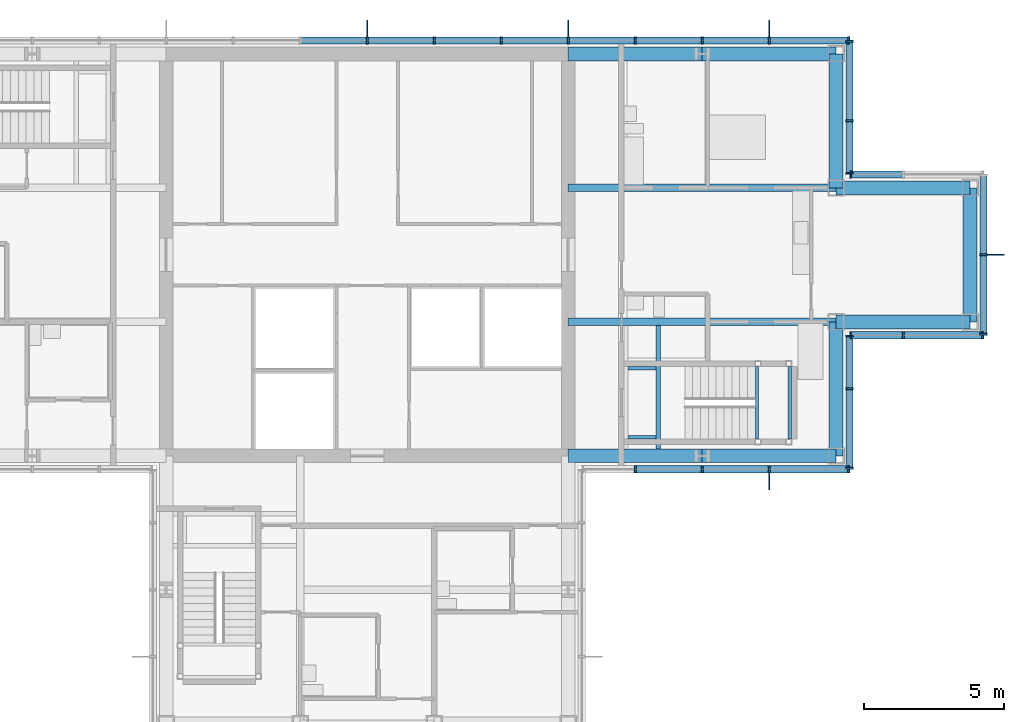
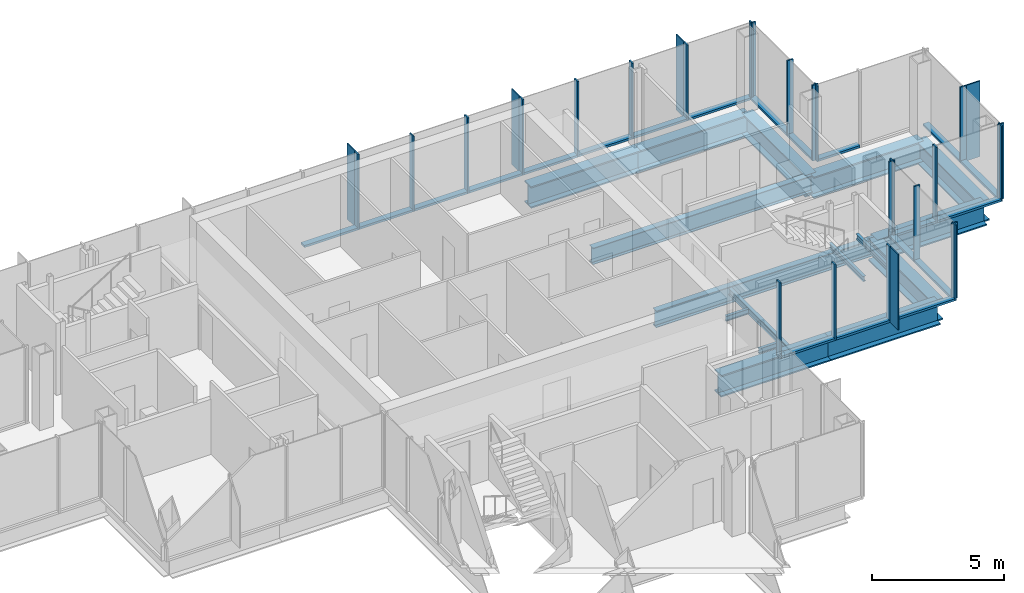
# One storey, part 7 of 15: 49 members, 16 beams, 7 elements without a shape of their own.
"""IFC4 building model written with IfcOpenShell, lengths in metres."""

from ifc_helpers import new_model, si_unit, direction, frame, origin, origin_2d, place, context, subcontext, project, spatial, rectangle, i_section, extrude, material, material_profile, profile_set, type_object, element, aggregate, save


model = new_model("IFC4")

# Units and contexts
model_context = context("Model", 3, precision=1e-05, world=origin(), true_north=direction((0.0, 1.0)))
body_context = subcontext(model_context, "Body", "Model", "MODEL_VIEW")
ifc_project = project(units=[si_unit("LENGTHUNIT", "METRE"), si_unit("AREAUNIT", "SQUARE_METRE"), si_unit("VOLUMEUNIT", "CUBIC_METRE"), si_unit("PLANEANGLEUNIT", "RADIAN"), si_unit("MASSUNIT", "GRAM", prefix="KILO")], contexts=[model_context])

# Site, building, storey
site_placement = place(None, origin())
site = spatial("IfcSite", under=ifc_project, at=site_placement, CompositionType="ELEMENT")
building_placement = place(site_placement, origin())
building = spatial("IfcBuilding", under=site, at=building_placement, Name="Kvirike Care Tower", CompositionType="ELEMENT")
storey_placement = place(building_placement, frame((0.0, 0.0, 229.5)))
storey = spatial("IfcBuildingStorey", under=building, at=storey_placement, Name="L63", CompositionType="ELEMENT", Elevation=229.5)

# Curtain wall, member
ifc_material_1 = material(Name="Anodised aluminium stick system", Category="aluminium")
curtain_wall_type = type_object("IfcCurtainWallType", Name="CW-D STICK CURTAIN WALL", PredefinedType="NOTDEFINED", material=ifc_material_1)
curtain_wall_1_placement = place(storey_placement, origin())
curtain_wall_1 = element("IfcCurtainWall", 1, at=curtain_wall_1_placement, inside=storey, type_object=curtain_wall_type, Name="Curtain wall L63 face 1", PredefinedType="NOTDEFINED")
ifc_material_2 = material(Name="Bronze anodised aluminium fin", Category="aluminium")
ifc_material_profile_1 = material_profile(ifc_material_2, rectangle(XDim=0.050048828125, YDim=0.60009765625, at=origin_2d()), Name="BRONZE FIN 600")
ifc_profile_set_1 = profile_set([ifc_material_profile_1], Name="Bronze anodised aluminium fin")
member_type_1 = type_object("IfcMemberType", Name="BRONZE FIN 600", PredefinedType="USERDEFINED", material=ifc_profile_set_1)
member_1_placement = place(storey_placement, frame((36.0, 27.889892578125, 0.0), z_axis=(0.0, 0.0, 1.0), x_axis=(1.0, 0.0, 0.0)))
member_1 = element("IfcMember", 2, at=member_1_placement, type_object=member_type_1, Name="Bronze fin L63 face 1.4", ObjectType="FIN", PredefinedType="USERDEFINED", context=body_context, shape_type="SweptSolid", body=[
    extrude(rectangle(XDim=0.050048828125, YDim=0.60009765625, at=origin_2d()), origin(), (0.0, 0.0, 1.0), 3.5),
])

curtain_wall_2_placement = place(storey_placement, origin())
curtain_wall_2 = element("IfcCurtainWall", 3, at=curtain_wall_2_placement, inside=storey, type_object=curtain_wall_type, Name="Curtain wall L63 face 4", PredefinedType="NOTDEFINED")
member_2_placement = place(storey_placement, frame((44.110107421875, 36.0, 0.0), z_axis=(0.0, 0.0, 1.0), x_axis=(0.0, 1.0, 0.0)))
member_2 = element("IfcMember", 4, at=member_2_placement, type_object=member_type_1, Name="Bronze fin L63 face 4.2", ObjectType="FIN", PredefinedType="USERDEFINED", context=body_context, shape_type="SweptSolid", body=[
    extrude(rectangle(XDim=0.050048828125, YDim=0.60009765625, at=origin_2d()), origin(), (0.0, 0.0, 1.0), 3.5),
])

# Curtain wall, members
curtain_wall_3_placement = place(storey_placement, origin())
curtain_wall_3 = element("IfcCurtainWall", 5, at=curtain_wall_3_placement, inside=storey, type_object=curtain_wall_type, Name="Curtain wall L63 face 7", PredefinedType="NOTDEFINED")
member_3_placement = place(storey_placement, frame((36.0, 44.110107421875, 0.0), z_axis=(0.0, 0.0, 1.0), x_axis=(-1.0, 0.0, 0.0)))
member_3 = element("IfcMember", 6, at=member_3_placement, type_object=member_type_1, Name="Bronze fin L63 face 7.2", ObjectType="FIN", PredefinedType="USERDEFINED", context=body_context, shape_type="SweptSolid", body=[
    extrude(rectangle(XDim=0.050048828125, YDim=0.60009765625, at=origin_2d()), origin(), (0.0, 0.0, 1.0), 3.5),
])
member_4_placement = place(storey_placement, frame((28.800048828125, 44.110107421875, 0.0), z_axis=(0.0, 0.0, 1.0), x_axis=(-1.0, 0.0, 0.0)))
member_4 = element("IfcMember", 7, at=member_4_placement, type_object=member_type_1, Name="Bronze fin L63 face 7.5", ObjectType="FIN", PredefinedType="USERDEFINED", context=body_context, shape_type="SweptSolid", body=[
    extrude(rectangle(XDim=0.050048828125, YDim=0.60009765625, at=origin_2d()), origin(), (0.0, 0.0, 1.0), 3.5),
])
member_5_placement = place(storey_placement, frame((21.60009765625, 44.110107421875, 0.0), z_axis=(0.0, 0.0, 1.0), x_axis=(-1.0, 0.0, 0.0)))
member_5 = element("IfcMember", 8, at=member_5_placement, type_object=member_type_1, Name="Bronze fin L63 face 7.8", ObjectType="FIN", PredefinedType="USERDEFINED", context=body_context, shape_type="SweptSolid", body=[
    extrude(rectangle(XDim=0.050048828125, YDim=0.60009765625, at=origin_2d()), origin(), (0.0, 0.0, 1.0), 3.5),
])

# Member
ifc_material_3 = material(Name="Bronze anodised aluminium mullion", Category="aluminium")
ifc_material_profile_2 = material_profile(ifc_material_3, rectangle(XDim=0.06494140625, YDim=0.260009765625, at=origin_2d()), Name="CW-D MULLION 65x260")
ifc_profile_set_2 = profile_set([ifc_material_profile_2], Name="Bronze anodised aluminium mullion")
member_type_2 = type_object("IfcMemberType", Name="CW-D MULLION 65x260", PredefinedType="MULLION", material=ifc_profile_set_2)
member_6_placement = place(storey_placement, frame((31.199951171875, 28.320068359375, 0.0), z_axis=(0.0, 0.0, 1.0), x_axis=(1.0, 0.0, 0.0)))
member_6 = element("IfcMember", 9, at=member_6_placement, type_object=member_type_2, Name="CW-D mullion L63 face 1.2", PredefinedType="MULLION", context=body_context, shape_type="SweptSolid", body=[
    extrude(rectangle(XDim=0.06494140625, YDim=0.260009765625, at=origin_2d()), origin(), (0.0, 0.0, 1.0), 3.5),
])

member_7_placement = place(storey_placement, frame((33.60009765625, 28.320068359375, 0.0), z_axis=(0.0, 0.0, 1.0), x_axis=(1.0, 0.0, 0.0)))
member_7 = element("IfcMember", 10, at=member_7_placement, type_object=member_type_2, Name="CW-D mullion L63 face 1.3", PredefinedType="MULLION", context=body_context, shape_type="SweptSolid", body=[
    extrude(rectangle(XDim=0.06494140625, YDim=0.260009765625, at=origin_2d()), origin(), (0.0, 0.0, 1.0), 3.5),
])

member_8_placement = place(storey_placement, frame((36.0, 28.320068359375, 0.0), z_axis=(0.0, 0.0, 1.0), x_axis=(1.0, 0.0, 0.0)))
member_8 = element("IfcMember", 11, at=member_8_placement, type_object=member_type_2, Name="CW-D mullion L63 face 1.4", PredefinedType="MULLION", context=body_context, shape_type="SweptSolid", body=[
    extrude(rectangle(XDim=0.06494140625, YDim=0.260009765625, at=origin_2d()), origin(), (0.0, 0.0, 1.0), 3.5),
])

member_9_placement = place(storey_placement, frame((38.847412109375, 28.320068359375, 0.0), z_axis=(0.0, 0.0, 1.0), x_axis=(1.0, 0.0, 0.0)))
member_9 = element("IfcMember", 12, at=member_9_placement, type_object=member_type_2, Name="CW-D mullion L63 face 1.5", PredefinedType="MULLION", context=body_context, shape_type="SweptSolid", body=[
    extrude(rectangle(XDim=0.06494140625, YDim=0.260009765625, at=origin_2d()), origin(), (0.0, 0.0, 1.0), 3.5),
])

# Curtain wall, members
curtain_wall_4_placement = place(storey_placement, origin())
curtain_wall_4 = element("IfcCurtainWall", 13, at=curtain_wall_4_placement, inside=storey, type_object=curtain_wall_type, Name="Curtain wall L63 face 2", PredefinedType="NOTDEFINED")
member_10_placement = place(storey_placement, frame((38.8798828125, 28.3525390625, 0.0), z_axis=(0.0, 0.0, 1.0), x_axis=(0.0, 1.0, 0.0)))
member_10 = element("IfcMember", 14, at=member_10_placement, type_object=member_type_2, Name="CW-D mullion L63 face 2.1", PredefinedType="MULLION", context=body_context, shape_type="SweptSolid", body=[
    extrude(rectangle(XDim=0.06494140625, YDim=0.260009765625, at=origin_2d()), origin(), (0.0, 0.0, 1.0), 3.5),
])
member_11_placement = place(storey_placement, frame((38.8798828125, 31.199951171875, 0.0), z_axis=(0.0, 0.0, 1.0), x_axis=(0.0, 1.0, 0.0)))
member_11 = element("IfcMember", 15, at=member_11_placement, type_object=member_type_2, Name="CW-D mullion L63 face 2.2", PredefinedType="MULLION", context=body_context, shape_type="SweptSolid", body=[
    extrude(rectangle(XDim=0.06494140625, YDim=0.260009765625, at=origin_2d()), origin(), (0.0, 0.0, 1.0), 3.5),
])
member_12_placement = place(storey_placement, frame((38.8798828125, 33.08740234375, 0.0), z_axis=(0.0, 0.0, 1.0), x_axis=(0.0, 1.0, 0.0)))
member_12 = element("IfcMember", 16, at=member_12_placement, type_object=member_type_2, Name="CW-D mullion L63 face 2.3", PredefinedType="MULLION", context=body_context, shape_type="SweptSolid", body=[
    extrude(rectangle(XDim=0.06494140625, YDim=0.260009765625, at=origin_2d()), origin(), (0.0, 0.0, 1.0), 3.5),
])

curtain_wall_5_placement = place(storey_placement, origin())
curtain_wall_5 = element("IfcCurtainWall", 17, at=curtain_wall_5_placement, inside=storey, type_object=curtain_wall_type, Name="Curtain wall L63 face 3", PredefinedType="NOTDEFINED")
member_13_placement = place(storey_placement, frame((38.91259765625, 33.1201171875, 0.0), z_axis=(0.0, 0.0, 1.0), x_axis=(1.0, 0.0, 0.0)))
member_13 = element("IfcMember", 18, at=member_13_placement, type_object=member_type_2, Name="CW-D mullion L63 face 3.1", PredefinedType="MULLION", context=body_context, shape_type="SweptSolid", body=[
    extrude(rectangle(XDim=0.06494140625, YDim=0.260009765625, at=origin_2d()), origin(), (0.0, 0.0, 1.0), 3.5),
])
member_14_placement = place(storey_placement, frame((40.800048828125, 33.1201171875, 0.0), z_axis=(0.0, 0.0, 1.0), x_axis=(1.0, 0.0, 0.0)))
member_14 = element("IfcMember", 19, at=member_14_placement, type_object=member_type_2, Name="CW-D mullion L63 face 3.2", PredefinedType="MULLION", context=body_context, shape_type="SweptSolid", body=[
    extrude(rectangle(XDim=0.06494140625, YDim=0.260009765625, at=origin_2d()), origin(), (0.0, 0.0, 1.0), 3.5),
])
member_15_placement = place(storey_placement, frame((43.6474609375, 33.1201171875, 0.0), z_axis=(0.0, 0.0, 1.0), x_axis=(1.0, 0.0, 0.0)))
member_15 = element("IfcMember", 20, at=member_15_placement, type_object=member_type_2, Name="CW-D mullion L63 face 3.3", PredefinedType="MULLION", context=body_context, shape_type="SweptSolid", body=[
    extrude(rectangle(XDim=0.06494140625, YDim=0.260009765625, at=origin_2d()), origin(), (0.0, 0.0, 1.0), 3.5),
])

# Member
member_16_placement = place(storey_placement, frame((43.679931640625, 33.152587890625, 0.0), z_axis=(0.0, 0.0, 1.0), x_axis=(0.0, 1.0, 0.0)))
member_16 = element("IfcMember", 21, at=member_16_placement, type_object=member_type_2, Name="CW-D mullion L63 face 4.1", PredefinedType="MULLION", context=body_context, shape_type="SweptSolid", body=[
    extrude(rectangle(XDim=0.06494140625, YDim=0.260009765625, at=origin_2d()), origin(), (0.0, 0.0, 1.0), 3.5),
])

member_17_placement = place(storey_placement, frame((43.679931640625, 36.0, 0.0), z_axis=(0.0, 0.0, 1.0), x_axis=(0.0, 1.0, 0.0)))
member_17 = element("IfcMember", 22, at=member_17_placement, type_object=member_type_2, Name="CW-D mullion L63 face 4.2", PredefinedType="MULLION", context=body_context, shape_type="SweptSolid", body=[
    extrude(rectangle(XDim=0.06494140625, YDim=0.260009765625, at=origin_2d()), origin(), (0.0, 0.0, 1.0), 3.5),
])

# Curtain wall, member
curtain_wall_6_placement = place(storey_placement, origin())
curtain_wall_6 = element("IfcCurtainWall", 23, at=curtain_wall_6_placement, inside=storey, type_object=curtain_wall_type, Name="Curtain wall L63 face 5", PredefinedType="NOTDEFINED")
member_18_placement = place(storey_placement, frame((38.91259765625, 38.8798828125, 0.0), z_axis=(0.0, 0.0, 1.0), x_axis=(-1.0, 0.0, 0.0)))
member_18 = element("IfcMember", 24, at=member_18_placement, type_object=member_type_2, Name="CW-D mullion L63 face 5.3", PredefinedType="MULLION", context=body_context, shape_type="SweptSolid", body=[
    extrude(rectangle(XDim=0.06494140625, YDim=0.260009765625, at=origin_2d()), origin(), (0.0, 0.0, 1.0), 3.5),
])

# Curtain wall, members
curtain_wall_7_placement = place(storey_placement, origin())
curtain_wall_7 = element("IfcCurtainWall", 25, at=curtain_wall_7_placement, inside=storey, type_object=curtain_wall_type, Name="Curtain wall L63 face 6", PredefinedType="NOTDEFINED")
member_19_placement = place(storey_placement, frame((38.8798828125, 38.91259765625, 0.0), z_axis=(0.0, 0.0, 1.0), x_axis=(0.0, 1.0, 0.0)))
member_19 = element("IfcMember", 26, at=member_19_placement, type_object=member_type_2, Name="CW-D mullion L63 face 6.1", PredefinedType="MULLION", context=body_context, shape_type="SweptSolid", body=[
    extrude(rectangle(XDim=0.06494140625, YDim=0.260009765625, at=origin_2d()), origin(), (0.0, 0.0, 1.0), 3.5),
])
member_20_placement = place(storey_placement, frame((38.8798828125, 40.800048828125, 0.0), z_axis=(0.0, 0.0, 1.0), x_axis=(0.0, 1.0, 0.0)))
member_20 = element("IfcMember", 27, at=member_20_placement, type_object=member_type_2, Name="CW-D mullion L63 face 6.2", PredefinedType="MULLION", context=body_context, shape_type="SweptSolid", body=[
    extrude(rectangle(XDim=0.06494140625, YDim=0.260009765625, at=origin_2d()), origin(), (0.0, 0.0, 1.0), 3.5),
])
member_21_placement = place(storey_placement, frame((38.8798828125, 43.6474609375, 0.0), z_axis=(0.0, 0.0, 1.0), x_axis=(0.0, 1.0, 0.0)))
member_21 = element("IfcMember", 28, at=member_21_placement, type_object=member_type_2, Name="CW-D mullion L63 face 6.3", PredefinedType="MULLION", context=body_context, shape_type="SweptSolid", body=[
    extrude(rectangle(XDim=0.06494140625, YDim=0.260009765625, at=origin_2d()), origin(), (0.0, 0.0, 1.0), 3.5),
])

# Member
member_22_placement = place(storey_placement, frame((38.847412109375, 43.679931640625, 0.0), z_axis=(0.0, 0.0, 1.0), x_axis=(-1.0, 0.0, 0.0)))
member_22 = element("IfcMember", 29, at=member_22_placement, type_object=member_type_2, Name="CW-D mullion L63 face 7.1", PredefinedType="MULLION", context=body_context, shape_type="SweptSolid", body=[
    extrude(rectangle(XDim=0.06494140625, YDim=0.260009765625, at=origin_2d()), origin(), (0.0, 0.0, 1.0), 3.5),
])

member_23_placement = place(storey_placement, frame((36.0, 43.679931640625, 0.0), z_axis=(0.0, 0.0, 1.0), x_axis=(-1.0, 0.0, 0.0)))
member_23 = element("IfcMember", 30, at=member_23_placement, type_object=member_type_2, Name="CW-D mullion L63 face 7.2", PredefinedType="MULLION", context=body_context, shape_type="SweptSolid", body=[
    extrude(rectangle(XDim=0.06494140625, YDim=0.260009765625, at=origin_2d()), origin(), (0.0, 0.0, 1.0), 3.5),
])

member_24_placement = place(storey_placement, frame((33.60009765625, 43.679931640625, 0.0), z_axis=(0.0, 0.0, 1.0), x_axis=(-1.0, 0.0, 0.0)))
member_24 = element("IfcMember", 31, at=member_24_placement, type_object=member_type_2, Name="CW-D mullion L63 face 7.3", PredefinedType="MULLION", context=body_context, shape_type="SweptSolid", body=[
    extrude(rectangle(XDim=0.06494140625, YDim=0.260009765625, at=origin_2d()), origin(), (0.0, 0.0, 1.0), 3.5),
])

member_25_placement = place(storey_placement, frame((31.199951171875, 43.679931640625, 0.0), z_axis=(0.0, 0.0, 1.0), x_axis=(-1.0, 0.0, 0.0)))
member_25 = element("IfcMember", 32, at=member_25_placement, type_object=member_type_2, Name="CW-D mullion L63 face 7.4", PredefinedType="MULLION", context=body_context, shape_type="SweptSolid", body=[
    extrude(rectangle(XDim=0.06494140625, YDim=0.260009765625, at=origin_2d()), origin(), (0.0, 0.0, 1.0), 3.5),
])

member_26_placement = place(storey_placement, frame((28.800048828125, 43.679931640625, 0.0), z_axis=(0.0, 0.0, 1.0), x_axis=(-1.0, 0.0, 0.0)))
member_26 = element("IfcMember", 33, at=member_26_placement, type_object=member_type_2, Name="CW-D mullion L63 face 7.5", PredefinedType="MULLION", context=body_context, shape_type="SweptSolid", body=[
    extrude(rectangle(XDim=0.06494140625, YDim=0.260009765625, at=origin_2d()), origin(), (0.0, 0.0, 1.0), 3.5),
])

member_27_placement = place(storey_placement, frame((26.39990234375, 43.679931640625, 0.0), z_axis=(0.0, 0.0, 1.0), x_axis=(-1.0, 0.0, 0.0)))
member_27 = element("IfcMember", 34, at=member_27_placement, type_object=member_type_2, Name="CW-D mullion L63 face 7.6", PredefinedType="MULLION", context=body_context, shape_type="SweptSolid", body=[
    extrude(rectangle(XDim=0.06494140625, YDim=0.260009765625, at=origin_2d()), origin(), (0.0, 0.0, 1.0), 3.5),
])

member_28_placement = place(storey_placement, frame((24.0, 43.679931640625, 0.0), z_axis=(0.0, 0.0, 1.0), x_axis=(-1.0, 0.0, 0.0)))
member_28 = element("IfcMember", 35, at=member_28_placement, type_object=member_type_2, Name="CW-D mullion L63 face 7.7", PredefinedType="MULLION", context=body_context, shape_type="SweptSolid", body=[
    extrude(rectangle(XDim=0.06494140625, YDim=0.260009765625, at=origin_2d()), origin(), (0.0, 0.0, 1.0), 3.5),
])

member_29_placement = place(storey_placement, frame((21.60009765625, 43.679931640625, 0.0), z_axis=(0.0, 0.0, 1.0), x_axis=(-1.0, 0.0, 0.0)))
member_29 = element("IfcMember", 36, at=member_29_placement, type_object=member_type_2, Name="CW-D mullion L63 face 7.8", PredefinedType="MULLION", context=body_context, shape_type="SweptSolid", body=[
    extrude(rectangle(XDim=0.06494140625, YDim=0.260009765625, at=origin_2d()), origin(), (0.0, 0.0, 1.0), 3.5),
])

ifc_material_4 = material(Name="Bronze anodised aluminium transom", Category="aluminium")
ifc_material_profile_3 = material_profile(ifc_material_4, rectangle(XDim=0.260009765625, YDim=0.10009765625, at=origin_2d()), Name="CW-D TRANSOM 260x100")
ifc_profile_set_3 = profile_set([ifc_material_profile_3], Name="Bronze anodised aluminium transom")
member_type_3 = type_object("IfcMemberType", Name="CW-D TRANSOM 260x100", PredefinedType="USERDEFINED", material=ifc_profile_set_3)
member_30_placement = place(storey_placement, frame((31.232421875, 28.320068359375, 0.050048828125), z_axis=(1.0, 0.0, 0.0), x_axis=(0.0, 1.0, 0.0)))
member_30 = element("IfcMember", 37, at=member_30_placement, type_object=member_type_3, Name="CW-D sill transom L63 face 1.2", ObjectType="TRANSOM", PredefinedType="USERDEFINED", context=body_context, shape_type="SweptSolid", body=[
    extrude(rectangle(XDim=0.260009765625, YDim=0.10009765625, at=origin_2d()), origin(), (0.0, 0.0, 1.0), 2.3349609375),
])

member_31_placement = place(storey_placement, frame((33.632568359375, 28.320068359375, 0.050048828125), z_axis=(1.0, 0.0, 0.0), x_axis=(0.0, 1.0, 0.0)))
member_31 = element("IfcMember", 38, at=member_31_placement, type_object=member_type_3, Name="CW-D sill transom L63 face 1.3", ObjectType="TRANSOM", PredefinedType="USERDEFINED", context=body_context, shape_type="SweptSolid", body=[
    extrude(rectangle(XDim=0.260009765625, YDim=0.10009765625, at=origin_2d()), origin(), (0.0, 0.0, 1.0), 2.3349609375),
])

member_32_placement = place(storey_placement, frame((36.032470703125, 28.320068359375, 0.050048828125), z_axis=(1.0, 0.0, 0.0), x_axis=(0.0, 1.0, 0.0)))
member_32 = element("IfcMember", 39, at=member_32_placement, type_object=member_type_3, Name="CW-D sill transom L63 face 1.4", ObjectType="TRANSOM", PredefinedType="USERDEFINED", context=body_context, shape_type="SweptSolid", body=[
    extrude(rectangle(XDim=0.260009765625, YDim=0.10009765625, at=origin_2d()), origin(), (0.0, 0.0, 1.0), 2.782470703125),
])

aggregate(curtain_wall_1, [member_6, member_7, member_8, member_1, member_9, member_30, member_31, member_32])

member_33_placement = place(storey_placement, frame((38.8798828125, 28.385009765625, 0.050048828125), z_axis=(0.0, 1.0, 0.0), x_axis=(-1.0, 0.0, 0.0)))
member_33 = element("IfcMember", 40, at=member_33_placement, type_object=member_type_3, Name="CW-D sill transom L63 face 2.1", ObjectType="TRANSOM", PredefinedType="USERDEFINED", context=body_context, shape_type="SweptSolid", body=[
    extrude(rectangle(XDim=0.260009765625, YDim=0.10009765625, at=origin_2d()), origin(), (0.0, 0.0, 1.0), 2.782470703125),
])

member_34_placement = place(storey_placement, frame((38.8798828125, 31.232421875, 0.050048828125), z_axis=(0.0, 1.0, 0.0), x_axis=(-1.0, 0.0, 0.0)))
member_34 = element("IfcMember", 41, at=member_34_placement, type_object=member_type_3, Name="CW-D sill transom L63 face 2.2", ObjectType="TRANSOM", PredefinedType="USERDEFINED", context=body_context, shape_type="SweptSolid", body=[
    extrude(rectangle(XDim=0.260009765625, YDim=0.10009765625, at=origin_2d()), origin(), (0.0, 0.0, 1.0), 1.822509765625),
])

aggregate(curtain_wall_4, [member_10, member_11, member_12, member_33, member_34])

member_35_placement = place(storey_placement, frame((38.945068359375, 33.1201171875, 0.050048828125), z_axis=(1.0, 0.0, 0.0), x_axis=(0.0, 1.0, 0.0)))
member_35 = element("IfcMember", 42, at=member_35_placement, type_object=member_type_3, Name="CW-D sill transom L63 face 3.1", ObjectType="TRANSOM", PredefinedType="USERDEFINED", context=body_context, shape_type="SweptSolid", body=[
    extrude(rectangle(XDim=0.260009765625, YDim=0.10009765625, at=origin_2d()), origin(), (0.0, 0.0, 1.0), 1.822509765625),
])

member_36_placement = place(storey_placement, frame((40.83251953125, 33.1201171875, 0.050048828125), z_axis=(1.0, 0.0, 0.0), x_axis=(0.0, 1.0, 0.0)))
member_36 = element("IfcMember", 43, at=member_36_placement, type_object=member_type_3, Name="CW-D sill transom L63 face 3.2", ObjectType="TRANSOM", PredefinedType="USERDEFINED", context=body_context, shape_type="SweptSolid", body=[
    extrude(rectangle(XDim=0.260009765625, YDim=0.10009765625, at=origin_2d()), origin(), (0.0, 0.0, 1.0), 2.782470703125),
])

aggregate(curtain_wall_5, [member_13, member_14, member_15, member_35, member_36])

member_37_placement = place(storey_placement, frame((43.679931640625, 33.18505859375, 0.050048828125), z_axis=(0.0, 1.0, 0.0), x_axis=(-1.0, 0.0, 0.0)))
member_37 = element("IfcMember", 44, at=member_37_placement, type_object=member_type_3, Name="CW-D sill transom L63 face 4.1", ObjectType="TRANSOM", PredefinedType="USERDEFINED", context=body_context, shape_type="SweptSolid", body=[
    extrude(rectangle(XDim=0.260009765625, YDim=0.10009765625, at=origin_2d()), origin(), (0.0, 0.0, 1.0), 2.782470703125),
])

member_38_placement = place(storey_placement, frame((43.679931640625, 36.032470703125, 0.050048828125), z_axis=(0.0, 1.0, 0.0), x_axis=(-1.0, 0.0, 0.0)))
member_38 = element("IfcMember", 45, at=member_38_placement, type_object=member_type_3, Name="CW-D sill transom L63 face 4.2", ObjectType="TRANSOM", PredefinedType="USERDEFINED", context=body_context, shape_type="SweptSolid", body=[
    extrude(rectangle(XDim=0.260009765625, YDim=0.10009765625, at=origin_2d()), origin(), (0.0, 0.0, 1.0), 2.782470703125),
])

aggregate(curtain_wall_2, [member_16, member_17, member_2, member_37, member_38])

member_39_placement = place(storey_placement, frame((40.767578125, 38.8798828125, 0.050048828125), z_axis=(-1.0, 0.0, 0.0), x_axis=(0.0, -1.0, 0.0)))
member_39 = element("IfcMember", 46, at=member_39_placement, type_object=member_type_3, Name="CW-D sill transom L63 face 5.2", ObjectType="TRANSOM", PredefinedType="USERDEFINED", context=body_context, shape_type="SweptSolid", body=[
    extrude(rectangle(XDim=0.260009765625, YDim=0.10009765625, at=origin_2d()), origin(), (0.0, 0.0, 1.0), 1.822509765625),
])

aggregate(curtain_wall_6, [member_18, member_39])

member_40_placement = place(storey_placement, frame((38.8798828125, 38.945068359375, 0.050048828125), z_axis=(0.0, 1.0, 0.0), x_axis=(-1.0, 0.0, 0.0)))
member_40 = element("IfcMember", 47, at=member_40_placement, type_object=member_type_3, Name="CW-D sill transom L63 face 6.1", ObjectType="TRANSOM", PredefinedType="USERDEFINED", context=body_context, shape_type="SweptSolid", body=[
    extrude(rectangle(XDim=0.260009765625, YDim=0.10009765625, at=origin_2d()), origin(), (0.0, 0.0, 1.0), 1.822509765625),
])

member_41_placement = place(storey_placement, frame((38.8798828125, 40.83251953125, 0.050048828125), z_axis=(0.0, 1.0, 0.0), x_axis=(-1.0, 0.0, 0.0)))
member_41 = element("IfcMember", 48, at=member_41_placement, type_object=member_type_3, Name="CW-D sill transom L63 face 6.2", ObjectType="TRANSOM", PredefinedType="USERDEFINED", context=body_context, shape_type="SweptSolid", body=[
    extrude(rectangle(XDim=0.260009765625, YDim=0.10009765625, at=origin_2d()), origin(), (0.0, 0.0, 1.0), 2.782470703125),
])

aggregate(curtain_wall_7, [member_19, member_20, member_21, member_40, member_41])

member_42_placement = place(storey_placement, frame((38.81494140625, 43.679931640625, 0.050048828125), z_axis=(-1.0, 0.0, 0.0), x_axis=(0.0, -1.0, 0.0)))
member_42 = element("IfcMember", 49, at=member_42_placement, type_object=member_type_3, Name="CW-D sill transom L63 face 7.1", ObjectType="TRANSOM", PredefinedType="USERDEFINED", context=body_context, shape_type="SweptSolid", body=[
    extrude(rectangle(XDim=0.260009765625, YDim=0.10009765625, at=origin_2d()), origin(), (0.0, 0.0, 1.0), 2.782470703125),
])

member_43_placement = place(storey_placement, frame((35.967529296875, 43.679931640625, 0.050048828125), z_axis=(-1.0, 0.0, 0.0), x_axis=(0.0, -1.0, 0.0)))
member_43 = element("IfcMember", 50, at=member_43_placement, type_object=member_type_3, Name="CW-D sill transom L63 face 7.2", ObjectType="TRANSOM", PredefinedType="USERDEFINED", context=body_context, shape_type="SweptSolid", body=[
    extrude(rectangle(XDim=0.260009765625, YDim=0.10009765625, at=origin_2d()), origin(), (0.0, 0.0, 1.0), 2.3349609375),
])

member_44_placement = place(storey_placement, frame((33.5673828125, 43.679931640625, 0.050048828125), z_axis=(-1.0, 0.0, 0.0), x_axis=(0.0, -1.0, 0.0)))
member_44 = element("IfcMember", 51, at=member_44_placement, type_object=member_type_3, Name="CW-D sill transom L63 face 7.3", ObjectType="TRANSOM", PredefinedType="USERDEFINED", context=body_context, shape_type="SweptSolid", body=[
    extrude(rectangle(XDim=0.260009765625, YDim=0.10009765625, at=origin_2d()), origin(), (0.0, 0.0, 1.0), 2.3349609375),
])

member_45_placement = place(storey_placement, frame((31.16748046875, 43.679931640625, 0.050048828125), z_axis=(-1.0, 0.0, 0.0), x_axis=(0.0, -1.0, 0.0)))
member_45 = element("IfcMember", 52, at=member_45_placement, type_object=member_type_3, Name="CW-D sill transom L63 face 7.4", ObjectType="TRANSOM", PredefinedType="USERDEFINED", context=body_context, shape_type="SweptSolid", body=[
    extrude(rectangle(XDim=0.260009765625, YDim=0.10009765625, at=origin_2d()), origin(), (0.0, 0.0, 1.0), 2.3349609375),
])

member_46_placement = place(storey_placement, frame((28.767578125, 43.679931640625, 0.050048828125), z_axis=(-1.0, 0.0, 0.0), x_axis=(0.0, -1.0, 0.0)))
member_46 = element("IfcMember", 53, at=member_46_placement, type_object=member_type_3, Name="CW-D sill transom L63 face 7.5", ObjectType="TRANSOM", PredefinedType="USERDEFINED", context=body_context, shape_type="SweptSolid", body=[
    extrude(rectangle(XDim=0.260009765625, YDim=0.10009765625, at=origin_2d()), origin(), (0.0, 0.0, 1.0), 2.3349609375),
])

member_47_placement = place(storey_placement, frame((26.367431640625, 43.679931640625, 0.050048828125), z_axis=(-1.0, 0.0, 0.0), x_axis=(0.0, -1.0, 0.0)))
member_47 = element("IfcMember", 54, at=member_47_placement, type_object=member_type_3, Name="CW-D sill transom L63 face 7.6", ObjectType="TRANSOM", PredefinedType="USERDEFINED", context=body_context, shape_type="SweptSolid", body=[
    extrude(rectangle(XDim=0.260009765625, YDim=0.10009765625, at=origin_2d()), origin(), (0.0, 0.0, 1.0), 2.3349609375),
])

member_48_placement = place(storey_placement, frame((23.967529296875, 43.679931640625, 0.050048828125), z_axis=(-1.0, 0.0, 0.0), x_axis=(0.0, -1.0, 0.0)))
member_48 = element("IfcMember", 55, at=member_48_placement, type_object=member_type_3, Name="CW-D sill transom L63 face 7.7", ObjectType="TRANSOM", PredefinedType="USERDEFINED", context=body_context, shape_type="SweptSolid", body=[
    extrude(rectangle(XDim=0.260009765625, YDim=0.10009765625, at=origin_2d()), origin(), (0.0, 0.0, 1.0), 2.3349609375),
])

member_49_placement = place(storey_placement, frame((21.5673828125, 43.679931640625, 0.050048828125), z_axis=(-1.0, 0.0, 0.0), x_axis=(0.0, -1.0, 0.0)))
member_49 = element("IfcMember", 56, at=member_49_placement, type_object=member_type_3, Name="CW-D sill transom L63 face 7.8", ObjectType="TRANSOM", PredefinedType="USERDEFINED", context=body_context, shape_type="SweptSolid", body=[
    extrude(rectangle(XDim=0.260009765625, YDim=0.10009765625, at=origin_2d()), origin(), (0.0, 0.0, 1.0), 2.3349609375),
])

aggregate(curtain_wall_3, [member_22, member_23, member_3, member_24, member_25, member_26, member_4, member_27, member_28, member_29, member_5, member_42, member_43, member_44, member_45, member_46, member_47, member_48, member_49])

# Beams
ifc_material_5 = material(Name="Steel S355", Category="steel")
ifc_material_profile_4 = material_profile(ifc_material_5, i_section(OverallWidth=0.26806640625, OverallDepth=0.77001953125, WebThickness=0.015625, FlangeThickness=0.025390625, FilletRadius=0.01708984375, at=origin_2d()), Name="IPE 750x196")
ifc_profile_set_4 = profile_set([ifc_material_profile_4], Name="Steel S355")
beam_type_1 = type_object("IfcBeamType", Name="FLOOR BEAM IPE 750x196", PredefinedType="BEAM", material=ifc_profile_set_4)
for number, where, z_axis, x_axis, name in (
    (57, (28.800048828125, 33.60009765625, -0.554931640625), (1.0, 0.0, 0.0), (0.0, 1.0, 0.0), "Floor Beam H9-H11 L63"),
    (58, (28.800048828125, 38.39990234375, -0.554931640625), (1.0, 0.0, 0.0), (0.0, 1.0, 0.0), "Floor Beam J9-J11 L63"),
):
    element("IfcBeam", number, at=place(storey_placement, frame(where, z_axis=z_axis, x_axis=x_axis)), inside=storey, type_object=beam_type_1, Name=name, PredefinedType="BEAM", context=body_context, shape_type="SweptSolid", body=[
        extrude(i_section(OverallWidth=0.26806640625, OverallDepth=0.77001953125, WebThickness=0.015625, FlangeThickness=0.025390625, FilletRadius=0.01708984375, at=origin_2d()), origin(), (0.0, 0.0, 1.0), 9.599853515625),
    ])
ifc_material_6 = material(Name="Steel S355", Category="steel")
ifc_material_profile_5 = material_profile(ifc_material_6, i_section(OverallWidth=0.5, OverallDepth=1.0, WebThickness=0.030029296875, FlangeThickness=0.06005859375, at=origin_2d()), Name="PG 1000x500x30x60")
ifc_profile_set_5 = profile_set([ifc_material_profile_5], Name="Steel S355")
beam_type_2 = type_object("IfcBeamType", Name="SPANDREL PG 1000x500x30x60", PredefinedType="SPANDREL", material=ifc_profile_set_5)
beam_1_placement = place(storey_placement, frame((28.800048828125, 28.800048828125, -0.669921875), z_axis=(1.0, 0.0, 0.0), x_axis=(0.0, 1.0, 0.0)))
element("IfcBeam", 59, at=beam_1_placement, inside=storey, type_object=beam_type_2, Name="Spandrel G9-G10 L63", PredefinedType="SPANDREL", context=body_context, shape_type="SweptSolid", body=[
    extrude(i_section(OverallWidth=0.5, OverallDepth=1.0, WebThickness=0.030029296875, FlangeThickness=0.06005859375, at=origin_2d()), origin(), (0.0, 0.0, 1.0), 4.800048828125),
])
beam_2_placement = place(storey_placement, frame((33.60009765625, 28.800048828125, -0.669921875), z_axis=(1.0, 0.0, 0.0), x_axis=(0.0, 1.0, 0.0)))
element("IfcBeam", 60, at=beam_2_placement, inside=storey, type_object=beam_type_2, Name="Spandrel G10-G11 L63", PredefinedType="SPANDREL", context=body_context, shape_type="SweptSolid", body=[
    extrude(i_section(OverallWidth=0.5, OverallDepth=1.0, WebThickness=0.030029296875, FlangeThickness=0.06005859375, at=origin_2d()), origin(), (0.0, 0.0, 1.0), 4.7998046875),
])
for number, where, z_axis, x_axis, name in (
    (61, (38.39990234375, 33.60009765625, -0.669921875), (1.0, 0.0, 0.0), (0.0, 1.0, 0.0), "Spandrel H11-H12 L63"),
    (62, (38.39990234375, 38.39990234375, -0.669921875), (1.0, 0.0, 0.0), (0.0, 1.0, 0.0), "Spandrel J11-J12 L63"),
    (63, (28.800048828125, 43.199951171875, -0.669921875), (1.0, 0.0, 0.0), (0.0, 1.0, 0.0), "Spandrel K9-K10 L63"),
):
    element("IfcBeam", number, at=place(storey_placement, frame(where, z_axis=z_axis, x_axis=x_axis)), inside=storey, type_object=beam_type_2, Name=name, PredefinedType="SPANDREL", context=body_context, shape_type="SweptSolid", body=[
        extrude(i_section(OverallWidth=0.5, OverallDepth=1.0, WebThickness=0.030029296875, FlangeThickness=0.06005859375, at=origin_2d()), origin(), (0.0, 0.0, 1.0), 4.800048828125),
    ])
beam_3_placement = place(storey_placement, frame((33.60009765625, 43.199951171875, -0.669921875), z_axis=(1.0, 0.0, 0.0), x_axis=(0.0, 1.0, 0.0)))
element("IfcBeam", 64, at=beam_3_placement, inside=storey, type_object=beam_type_2, Name="Spandrel K10-K11 L63", PredefinedType="SPANDREL", context=body_context, shape_type="SweptSolid", body=[
    extrude(i_section(OverallWidth=0.5, OverallDepth=1.0, WebThickness=0.030029296875, FlangeThickness=0.06005859375, at=origin_2d()), origin(), (0.0, 0.0, 1.0), 4.7998046875),
])
for number, where, z_axis, x_axis, name in (
    (65, (38.39990234375, 28.800048828125, -0.669921875), (0.0, 1.0, 0.0), (-1.0, 0.0, 0.0), "Spandrel G11-H11 L63"),
    (66, (38.39990234375, 38.39990234375, -0.669921875), (0.0, 1.0, 0.0), (-1.0, 0.0, 0.0), "Spandrel J11-K11 L63"),
):
    element("IfcBeam", number, at=place(storey_placement, frame(where, z_axis=z_axis, x_axis=x_axis)), inside=storey, type_object=beam_type_2, Name=name, PredefinedType="SPANDREL", context=body_context, shape_type="SweptSolid", body=[
        extrude(i_section(OverallWidth=0.5, OverallDepth=1.0, WebThickness=0.030029296875, FlangeThickness=0.06005859375, at=origin_2d()), origin(), (0.0, 0.0, 1.0), 4.800048828125),
    ])
beam_4_placement = place(storey_placement, frame((43.199951171875, 33.60009765625, -0.669921875), z_axis=(0.0, 1.0, 0.0), x_axis=(-1.0, 0.0, 0.0)))
element("IfcBeam", 67, at=beam_4_placement, inside=storey, type_object=beam_type_2, Name="Spandrel H12-J12 L63", PredefinedType="SPANDREL", context=body_context, shape_type="SweptSolid", body=[
    extrude(i_section(OverallWidth=0.5, OverallDepth=1.0, WebThickness=0.030029296875, FlangeThickness=0.06005859375, at=origin_2d()), origin(), (0.0, 0.0, 1.0), 4.7998046875),
])
ifc_material_7 = material(Name="Steel S355", Category="steel")
ifc_material_profile_6 = material_profile(ifc_material_7, i_section(OverallWidth=0.1201171875, OverallDepth=0.239990234375, WebThickness=0.006103515625, FlangeThickness=0.009765625, FilletRadius=0.014892578125, at=origin_2d()), Name="IPE 240")
ifc_profile_set_6 = profile_set([ifc_material_profile_6], Name="Steel S355")
beam_type_3 = type_object("IfcBeamType", Name="STAIR LANDING BEAM IPE 240", PredefinedType="BEAM", material=ifc_profile_set_6)
for number, where, z_axis, x_axis, name in (
    (68, (36.739990234375, 29.39990234375, 1.429931640625), (0.0, 1.0, 0.0), (-1.0, 0.0, 0.0), "Stair 2 landing beam back L63"),
    (69, (35.56005859375, 29.39990234375, 1.429931640625), (0.0, 1.0, 0.0), (-1.0, 0.0, 0.0), "Stair 2 landing beam front L63"),
):
    element("IfcBeam", number, at=place(storey_placement, frame(where, z_axis=z_axis, x_axis=x_axis)), inside=storey, type_object=beam_type_3, Name=name, PredefinedType="BEAM", context=body_context, shape_type="SweptSolid", body=[
        extrude(i_section(OverallWidth=0.1201171875, OverallDepth=0.239990234375, WebThickness=0.006103515625, FlangeThickness=0.009765625, FilletRadius=0.014892578125, at=origin_2d()), origin(), (0.0, 0.0, 1.0), 2.60009765625),
    ])
for number, where, z_axis, x_axis, name in (
    (70, (31.949951171875, 29.4599609375, -0.320068359375), (-1.0, 0.0, 0.0), (0.0, -1.0, 0.0), "Stair 2 landing edge beam 1 L63"),
    (71, (31.949951171875, 31.93994140625, -0.320068359375), (-1.0, 0.0, 0.0), (0.0, -1.0, 0.0), "Stair 2 landing edge beam 2 L63"),
):
    element("IfcBeam", number, at=place(storey_placement, frame(where, z_axis=z_axis, x_axis=x_axis)), inside=storey, type_object=beam_type_3, Name=name, PredefinedType="BEAM", context=body_context, shape_type="SweptSolid", body=[
        extrude(i_section(OverallWidth=0.1201171875, OverallDepth=0.239990234375, WebThickness=0.006103515625, FlangeThickness=0.009765625, FilletRadius=0.014892578125, at=origin_2d()), origin(), (0.0, 0.0, 1.0), 1.0),
    ])
ifc_material_8 = material(Name="Steel S355", Category="steel")
ifc_material_profile_7 = material_profile(ifc_material_8, i_section(OverallWidth=0.14990234375, OverallDepth=0.300048828125, WebThickness=0.007080078125, FlangeThickness=0.0107421875, FilletRadius=0.014892578125, at=origin_2d()), Name="IPE 300")
ifc_profile_set_7 = profile_set([ifc_material_profile_7], Name="Steel S355")
beam_type_4 = type_object("IfcBeamType", Name="STAIR TRIMMER IPE 300", PredefinedType="BEAM", material=ifc_profile_set_7)
beam_5_placement = place(storey_placement, frame((32.02490234375, 29.050048828125, -0.35009765625), z_axis=(0.0, 1.0, 0.0), x_axis=(-1.0, 0.0, 0.0)))
element("IfcBeam", 72, at=beam_5_placement, inside=storey, type_object=beam_type_4, Name="Stair 2 trimmer 1 L63", PredefinedType="BEAM", context=body_context, shape_type="SweptSolid", body=[
    extrude(i_section(OverallWidth=0.14990234375, OverallDepth=0.300048828125, WebThickness=0.007080078125, FlangeThickness=0.0107421875, FilletRadius=0.014892578125, at=origin_2d()), origin(), (0.0, 0.0, 1.0), 4.416015625),
])

save(model, "model.ifc")
